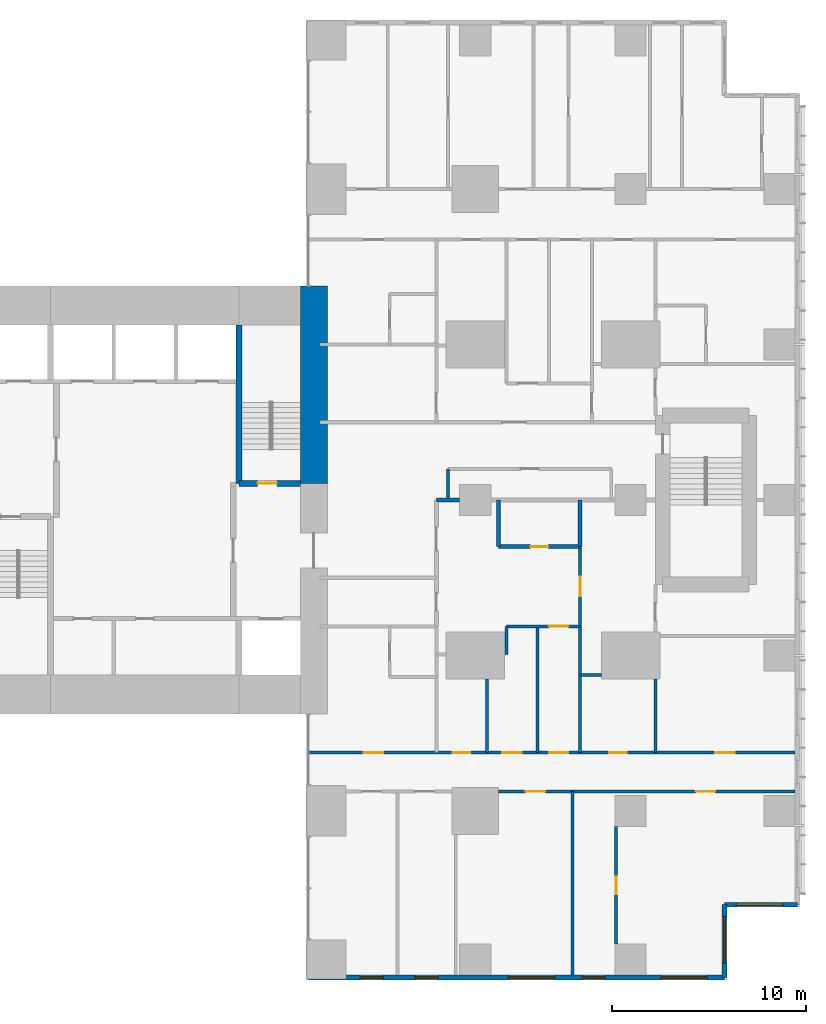
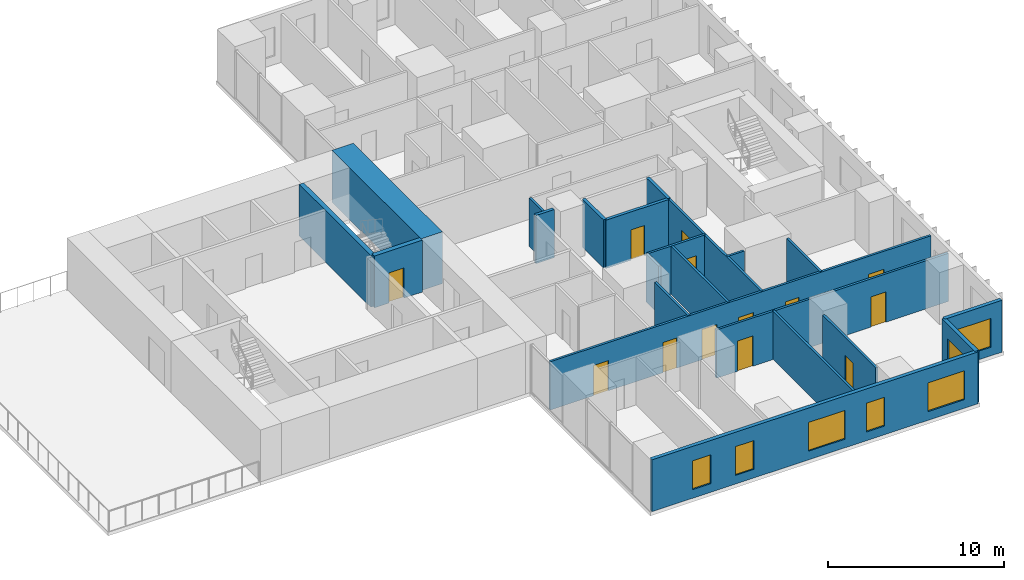
# One storey, part 10 of 14: 22 walls, 13 doors, 7 windows, 20 openings.
"""IFC4 building model written with IfcOpenShell, lengths in metres."""

from ifc_helpers import new_model, si_unit, direction, frame, frame_2d, origin, place, context, subcontext, project, spatial, rectangle, extrude, material, layer, layer_set, type_object, element, fill, save


model = new_model("IFC4")

# Units and contexts
model_context = context("Model", 3, precision=1e-05, world=origin(), true_north=direction((0.0, 1.0)))
body_context = subcontext(model_context, "Body", "Model", "MODEL_VIEW")
ifc_project = project(units=[si_unit("LENGTHUNIT", "METRE"), si_unit("AREAUNIT", "SQUARE_METRE"), si_unit("VOLUMEUNIT", "CUBIC_METRE"), si_unit("PLANEANGLEUNIT", "RADIAN"), si_unit("MASSUNIT", "GRAM", prefix="KILO")], contexts=[model_context])

# Site, building, storey
site_placement = place(None, origin())
site = spatial("IfcSite", under=ifc_project, at=site_placement, CompositionType="ELEMENT")
building_placement = place(site_placement, origin())
building = spatial("IfcBuilding", under=site, at=building_placement, Name="Cleftline Residences", CompositionType="ELEMENT")
storey_placement = place(building_placement, frame((0.0, 0.0, 230.39990234375)))
storey = spatial("IfcBuildingStorey", under=building, at=storey_placement, Name="L60", CompositionType="ELEMENT", Elevation=230.39990234375)

# Walls
ifc_material_1 = material(Name="Concrete B70", Category="concrete")
ifc_layer_1 = layer(ifc_material_1, 1.39990234375)
ifc_layer_set_1 = layer_set([ifc_layer_1], Name="CORE WALL 1400")
wall_type_1 = type_object("IfcWallType", Name="CORE WALL 1400", PredefinedType="SHEAR", material=ifc_layer_set_1)
wall_1_placement = place(storey_placement, frame((41.699951171875, 24.85009765625, 0.0), z_axis=(0.0, 0.0, 1.0), x_axis=(0.0, 1.0, 0.0)))
element("IfcWall", 1, at=wall_1_placement, inside=storey, type_object=wall_type_1, Name="Core wall E1", PredefinedType="SHEAR", context=body_context, shape_type="SweptSolid", body=[
    extrude(rectangle(XDim=10.14990234375, YDim=1.39990234375, at=frame_2d((5.074951171875, 0.0))), origin(), (0.0, 0.0, 1.0), 3.60009765625),
])
ifc_material_2 = material(Name="Concrete B70", Category="concrete")
ifc_layer_2 = layer(ifc_material_2, 0.300048828125)
ifc_layer_set_2 = layer_set([ifc_layer_2], Name="CORE WALL 300")
wall_type_2 = type_object("IfcWallType", Name="CORE WALL 300", PredefinedType="SHEAR", material=ifc_layer_set_2)
wall_2_placement = place(storey_placement, frame((37.85009765625, 24.85009765625, 0.0), z_axis=(0.0, 0.0, 1.0), x_axis=(0.0, 1.0, 0.0)))
element("IfcWall", 2, at=wall_2_placement, inside=storey, type_object=wall_type_2, Name="Core wall SB-W", PredefinedType="SHEAR", context=body_context, shape_type="SweptSolid", body=[
    extrude(rectangle(XDim=8.14990234375, YDim=0.300048828125, at=frame_2d((4.074951171875, 0.0))), origin(), (0.0, 0.0, 1.0), 3.60009765625),
])

# Wall, opening, door
wall_3_placement = place(storey_placement, frame((37.85009765625, 24.85009765625, 0.0), z_axis=(0.0, 0.0, 1.0), x_axis=(1.0, 0.0, 0.0)))
wall_3 = element("IfcWall", 3, at=wall_3_placement, inside=storey, type_object=wall_type_2, Name="Core wall SB-S", PredefinedType="SHEAR", context=body_context, shape_type="SweptSolid", body=[
    extrude(rectangle(XDim=3.14990234375, YDim=0.300048828125, at=frame_2d((1.574951171875, 0.0))), origin(), (0.0, 0.0, 1.0), 3.60009765625),
])
opening_1_placement = place(wall_3_placement, frame((0.949951171875, 0.0, 0.0)))
opening_1 = element("IfcOpeningElement", 4, at=opening_1_placement, cuts=wall_3, Name="Opening D5", PredefinedType="OPENING", context=body_context, shape_type="SweptSolid", body=[
    extrude(rectangle(XDim=1.0, YDim=2.10009765625, at=frame_2d((0.5, 1.050048828125))), frame((0.0, 0.159912109375, 0.0), z_axis=(0.0, -1.0, 0.0), x_axis=(1.0, 0.0, 0.0)), (0.0, 0.0, 1.0), 0.320068359375),
])
ifc_material_3 = material(Name="Steel", Category="steel")
door_type_1 = type_object("IfcDoorType", Name="STAIR DOOR 1000X2100", OperationType="SINGLE_SWING_LEFT", PredefinedType="DOOR", material=ifc_material_3)
door_1_placement = place(opening_1_placement, origin())
door_1 = element("IfcDoor", 5, at=door_1_placement, inside=storey, type_object=door_type_1, Name="Stair B door", OperationType="SINGLE_SWING_RIGHT", OverallHeight=2.10009765625, OverallWidth=1.0, PredefinedType="DOOR", context=body_context, shape_type="SweptSolid", body=[
    extrude(rectangle(XDim=1.0, YDim=2.10009765625, at=frame_2d((0.5, 1.050048828125))), frame((0.0, 0.02490234375, 0.0), z_axis=(0.0, -1.0, 0.0), x_axis=(1.0, 0.0, 0.0)), (0.0, 0.0, 1.0), 0.050048828125),
])
fill(opening_1, door_1)

# Wall, openings, windows
ifc_material_4 = material(Name="Rendered reinforced concrete blockwork", Category="masonry")
ifc_layer_3 = layer(ifc_material_4, 0.25)
ifc_layer_set_3 = layer_set([ifc_layer_3], Name="EXTERNAL WALL 250")
wall_type_3 = type_object("IfcWallType", Name="EXTERNAL WALL 250", PredefinedType="SOLIDWALL", material=ifc_layer_set_3)
wall_4_placement = place(storey_placement, frame((41.425048828125, -0.574951171875, 0.0), z_axis=(0.0, 0.0, 1.0), x_axis=(1.0, 0.0, 0.0)))
wall_4 = element("IfcWall", 6, at=wall_4_placement, inside=storey, type_object=wall_type_3, Name="External wall", PredefinedType="SOLIDWALL", context=body_context, shape_type="SweptSolid", body=[
    extrude(rectangle(XDim=21.39990234375, YDim=0.25, at=frame_2d((10.699951171875, 0.0))), origin(), (0.0, 0.0, 1.0), 3.60009765625),
])
opening_2_placement = place(wall_4_placement, frame((2.64990234375, 0.0, 0.60009765625)))
opening_2 = element("IfcOpeningElement", 7, at=opening_2_placement, cuts=wall_4, Name="Opening W8", PredefinedType="OPENING", context=body_context, shape_type="SweptSolid", body=[
    extrude(rectangle(XDim=1.199951171875, YDim=2.0, at=frame_2d((0.60009765625, 1.0))), frame((0.0, 0.135009765625, 0.0), z_axis=(0.0, -1.0, 0.0), x_axis=(1.0, 0.0, 0.0)), (0.0, 0.0, 1.0), 0.27001953125),
])
opening_3_placement = place(wall_4_placement, frame((5.47509765625, 0.0, 0.60009765625)))
opening_3 = element("IfcOpeningElement", 8, at=opening_3_placement, cuts=wall_4, Name="Opening W8", PredefinedType="OPENING", context=body_context, shape_type="SweptSolid", body=[
    extrude(rectangle(XDim=1.199951171875, YDim=2.0, at=frame_2d((0.60009765625, 1.0))), frame((0.0, 0.135009765625, 0.0), z_axis=(0.0, -1.0, 0.0), x_axis=(1.0, 0.0, 0.0)), (0.0, 0.0, 1.0), 0.27001953125),
])
opening_4_placement = place(wall_4_placement, frame((10.27490234375, 0.0, 0.60009765625)))
opening_4 = element("IfcOpeningElement", 9, at=opening_4_placement, cuts=wall_4, Name="Opening W6", PredefinedType="OPENING", context=body_context, shape_type="SweptSolid", body=[
    extrude(rectangle(XDim=2.39990234375, YDim=2.0, at=frame_2d((1.199951171875, 1.0))), frame((0.0, 0.135009765625, 0.0), z_axis=(0.0, -1.0, 0.0), x_axis=(1.0, 0.0, 0.0)), (0.0, 0.0, 1.0), 0.27001953125),
])
opening_5_placement = place(wall_4_placement, frame((14.074951171875, 0.0, 0.60009765625)))
opening_5 = element("IfcOpeningElement", 10, at=opening_5_placement, cuts=wall_4, Name="Opening W8", PredefinedType="OPENING", context=body_context, shape_type="SweptSolid", body=[
    extrude(rectangle(XDim=1.199951171875, YDim=2.0, at=frame_2d((0.60009765625, 1.0))), frame((0.0, 0.135009765625, 0.0), z_axis=(0.0, -1.0, 0.0), x_axis=(1.0, 0.0, 0.0)), (0.0, 0.0, 1.0), 0.27001953125),
])
opening_6_placement = place(wall_4_placement, frame((18.125, 0.0, 0.60009765625)))
opening_6 = element("IfcOpeningElement", 11, at=opening_6_placement, cuts=wall_4, Name="Opening W6", PredefinedType="OPENING", context=body_context, shape_type="SweptSolid", body=[
    extrude(rectangle(XDim=2.39990234375, YDim=2.0, at=frame_2d((1.199951171875, 1.0))), frame((0.0, 0.135009765625, 0.0), z_axis=(0.0, -1.0, 0.0), x_axis=(1.0, 0.0, 0.0)), (0.0, 0.0, 1.0), 0.27001953125),
])
ifc_material_5 = material(Name="Aluminium frame, clear double glazing", Category="aluminium")
window_type_1 = type_object("IfcWindowType", Name="WINDOW 1200X2000", PartitioningType="DOUBLE_PANEL_VERTICAL", PredefinedType="WINDOW", material=ifc_material_5)
window_1_placement = place(opening_2_placement, origin())
window_1 = element("IfcWindow", 12, at=window_1_placement, inside=storey, type_object=window_type_1, Name="Window", OverallHeight=2.0, OverallWidth=1.199951171875, PartitioningType="SINGLE_PANEL", PredefinedType="WINDOW", context=body_context, shape_type="SweptSolid", body=[
    extrude(rectangle(XDim=1.199951171875, YDim=2.0, at=frame_2d((0.60009765625, 1.0))), frame((0.0, 0.030029296875, 0.0), z_axis=(0.0, -1.0, 0.0), x_axis=(1.0, 0.0, 0.0)), (0.0, 0.0, 1.0), 0.06005859375),
])
fill(opening_2, window_1)
window_2_placement = place(opening_3_placement, origin())
window_2 = element("IfcWindow", 13, at=window_2_placement, inside=storey, type_object=window_type_1, Name="Window", OverallHeight=2.0, OverallWidth=1.199951171875, PartitioningType="SINGLE_PANEL", PredefinedType="WINDOW", context=body_context, shape_type="SweptSolid", body=[
    extrude(rectangle(XDim=1.199951171875, YDim=2.0, at=frame_2d((0.60009765625, 1.0))), frame((0.0, 0.030029296875, 0.0), z_axis=(0.0, -1.0, 0.0), x_axis=(1.0, 0.0, 0.0)), (0.0, 0.0, 1.0), 0.06005859375),
])
fill(opening_3, window_2)
window_3_placement = place(opening_5_placement, origin())
window_3 = element("IfcWindow", 14, at=window_3_placement, inside=storey, type_object=window_type_1, Name="Window", OverallHeight=2.0, OverallWidth=1.199951171875, PartitioningType="SINGLE_PANEL", PredefinedType="WINDOW", context=body_context, shape_type="SweptSolid", body=[
    extrude(rectangle(XDim=1.199951171875, YDim=2.0, at=frame_2d((0.60009765625, 1.0))), frame((0.0, 0.030029296875, 0.0), z_axis=(0.0, -1.0, 0.0), x_axis=(1.0, 0.0, 0.0)), (0.0, 0.0, 1.0), 0.06005859375),
])
fill(opening_5, window_3)
ifc_material_6 = material(Name="Aluminium frame, clear double glazing", Category="aluminium")
window_type_2 = type_object("IfcWindowType", Name="WINDOW 2400X2000", PartitioningType="DOUBLE_PANEL_VERTICAL", PredefinedType="WINDOW", material=ifc_material_6)
window_4_placement = place(opening_4_placement, origin())
window_4 = element("IfcWindow", 15, at=window_4_placement, inside=storey, type_object=window_type_2, Name="Window", OverallHeight=2.0, OverallWidth=2.39990234375, PartitioningType="SINGLE_PANEL", PredefinedType="WINDOW", context=body_context, shape_type="SweptSolid", body=[
    extrude(rectangle(XDim=2.39990234375, YDim=2.0, at=frame_2d((1.199951171875, 1.0))), frame((0.0, 0.030029296875, 0.0), z_axis=(0.0, -1.0, 0.0), x_axis=(1.0, 0.0, 0.0)), (0.0, 0.0, 1.0), 0.06005859375),
])
fill(opening_4, window_4)
window_5_placement = place(opening_6_placement, origin())
window_5 = element("IfcWindow", 16, at=window_5_placement, inside=storey, type_object=window_type_2, Name="Window", OverallHeight=2.0, OverallWidth=2.39990234375, PartitioningType="SINGLE_PANEL", PredefinedType="WINDOW", context=body_context, shape_type="SweptSolid", body=[
    extrude(rectangle(XDim=2.39990234375, YDim=2.0, at=frame_2d((1.199951171875, 1.0))), frame((0.0, 0.030029296875, 0.0), z_axis=(0.0, -1.0, 0.0), x_axis=(1.0, 0.0, 0.0)), (0.0, 0.0, 1.0), 0.06005859375),
])
fill(opening_6, window_5)

# Wall, opening, window
wall_5_placement = place(storey_placement, frame((62.824951171875, -0.574951171875, 0.0), z_axis=(0.0, 0.0, 1.0), x_axis=(0.0, 1.0, 0.0)))
wall_5 = element("IfcWall", 17, at=wall_5_placement, inside=storey, type_object=wall_type_3, Name="External wall", PredefinedType="SOLIDWALL", context=body_context, shape_type="SweptSolid", body=[
    extrude(rectangle(XDim=3.75, YDim=0.25, at=frame_2d((1.875, 0.0))), origin(), (0.0, 0.0, 1.0), 3.60009765625),
])
opening_7_placement = place(wall_5_placement, frame((0.737548828125, 0.0, 0.60009765625)))
opening_7 = element("IfcOpeningElement", 18, at=opening_7_placement, cuts=wall_5, Name="Opening W6", PredefinedType="OPENING", context=body_context, shape_type="SweptSolid", body=[
    extrude(rectangle(XDim=2.39990234375, YDim=2.0, at=frame_2d((1.199951171875, 1.0))), frame((0.0, 0.135009765625, 0.0), z_axis=(0.0, -1.0, 0.0), x_axis=(1.0, 0.0, 0.0)), (0.0, 0.0, 1.0), 0.27001953125),
])
window_6_placement = place(opening_7_placement, origin())
window_6 = element("IfcWindow", 19, at=window_6_placement, inside=storey, type_object=window_type_2, Name="Window", OverallHeight=2.0, OverallWidth=2.39990234375, PartitioningType="SINGLE_PANEL", PredefinedType="WINDOW", context=body_context, shape_type="SweptSolid", body=[
    extrude(rectangle(XDim=2.39990234375, YDim=2.0, at=frame_2d((1.199951171875, 1.0))), frame((0.0, 0.030029296875, 0.0), z_axis=(0.0, -1.0, 0.0), x_axis=(1.0, 0.0, 0.0)), (0.0, 0.0, 1.0), 0.06005859375),
])
fill(opening_7, window_6)

wall_6_placement = place(storey_placement, frame((62.824951171875, 3.175048828125, 0.0), z_axis=(0.0, 0.0, 1.0), x_axis=(1.0, 0.0, 0.0)))
wall_6 = element("IfcWall", 20, at=wall_6_placement, inside=storey, type_object=wall_type_3, Name="External wall", PredefinedType="SOLIDWALL", context=body_context, shape_type="SweptSolid", body=[
    extrude(rectangle(XDim=3.75, YDim=0.25, at=frame_2d((1.875, 0.0))), origin(), (0.0, 0.0, 1.0), 3.60009765625),
])
opening_8_placement = place(wall_6_placement, frame((0.612548828125, 0.0, 0.60009765625)))
opening_8 = element("IfcOpeningElement", 21, at=opening_8_placement, cuts=wall_6, Name="Opening W6", PredefinedType="OPENING", context=body_context, shape_type="SweptSolid", body=[
    extrude(rectangle(XDim=2.39990234375, YDim=2.0, at=frame_2d((1.199951171875, 1.0))), frame((0.0, 0.135009765625, 0.0), z_axis=(0.0, -1.0, 0.0), x_axis=(1.0, 0.0, 0.0)), (0.0, 0.0, 1.0), 0.27001953125),
])
window_7_placement = place(opening_8_placement, origin())
window_7 = element("IfcWindow", 22, at=window_7_placement, inside=storey, type_object=window_type_2, Name="Window", OverallHeight=2.0, OverallWidth=2.39990234375, PartitioningType="SINGLE_PANEL", PredefinedType="WINDOW", context=body_context, shape_type="SweptSolid", body=[
    extrude(rectangle(XDim=2.39990234375, YDim=2.0, at=frame_2d((1.199951171875, 1.0))), frame((0.0, 0.030029296875, 0.0), z_axis=(0.0, -1.0, 0.0), x_axis=(1.0, 0.0, 0.0)), (0.0, 0.0, 1.0), 0.06005859375),
])
fill(opening_8, window_7)

# Wall, opening, door
ifc_material_7 = material(Name="Concrete blockwork, fire rated", Category="masonry")
ifc_layer_4 = layer(ifc_material_7, 0.199951171875)
ifc_layer_set_4 = layer_set([ifc_layer_4], Name="FIRE WALL 200")
wall_type_4 = type_object("IfcWallType", Name="FIRE WALL 200", PredefinedType="PARTITIONING", material=ifc_layer_set_4)
wall_7_placement = place(storey_placement, frame((51.199951171875, 21.60009765625, 0.0), z_axis=(0.0, 0.0, 1.0), x_axis=(1.0, 0.0, 0.0)))
wall_7 = element("IfcWall", 23, at=wall_7_placement, inside=storey, type_object=wall_type_4, Name="Fire separating wall", PredefinedType="PARTITIONING", context=body_context, shape_type="SweptSolid", body=[
    extrude(rectangle(XDim=4.199951171875, YDim=0.199951171875, at=frame_2d((2.10009765625, 0.0))), origin(), (0.0, 0.0, 1.0), 3.35009765625),
])
opening_9_placement = place(wall_7_placement, frame((1.64990234375, 0.0, 0.0)))
opening_9 = element("IfcOpeningElement", 24, at=opening_9_placement, cuts=wall_7, Name="Opening D1F30", PredefinedType="OPENING", context=body_context, shape_type="SweptSolid", body=[
    extrude(rectangle(XDim=0.89990234375, YDim=2.10009765625, at=frame_2d((0.449951171875, 1.050048828125))), frame((0.0, 0.10986328125, 0.0), z_axis=(0.0, -1.0, 0.0), x_axis=(1.0, 0.0, 0.0)), (0.0, 0.0, 1.0), 0.219970703125),
])
ifc_material_8 = material(Name="Timber veneer on solid core", Category="wood")
door_type_2 = type_object("IfcDoorType", Name="DOOR 900X2100 EI 30", OperationType="SINGLE_SWING_LEFT", PredefinedType="DOOR", material=ifc_material_8)
door_2_placement = place(opening_9_placement, origin())
door_2 = element("IfcDoor", 25, at=door_2_placement, inside=storey, type_object=door_type_2, Name="Door to cloakroom wc", OperationType="SINGLE_SWING_LEFT", OverallHeight=2.10009765625, OverallWidth=0.89990234375, PredefinedType="DOOR", context=body_context, shape_type="SweptSolid", body=[
    extrude(rectangle(XDim=0.89990234375, YDim=2.10009765625, at=frame_2d((0.449951171875, 1.050048828125))), frame((0.0, 0.02490234375, 0.0), z_axis=(0.0, -1.0, 0.0), x_axis=(1.0, 0.0, 0.0)), (0.0, 0.0, 1.0), 0.050048828125),
])
fill(opening_9, door_2)

# Walls
wall_8_placement = place(storey_placement, frame((48.0, 24.0, 0.0), z_axis=(0.0, 0.0, 1.0), x_axis=(1.0, 0.0, 0.0)))
element("IfcWall", 26, at=wall_8_placement, inside=storey, type_object=wall_type_4, Name="Fire separating wall", PredefinedType="PARTITIONING", context=body_context, shape_type="SweptSolid", body=[
    extrude(rectangle(XDim=1.199951171875, YDim=0.199951171875, at=frame_2d((0.60009765625, 0.0))), origin(), (0.0, 0.0, 1.0), 3.35009765625),
])
for number, where, z_axis, x_axis, name in (
    (27, (51.199951171875, 21.60009765625, 0.0), (0.0, 0.0, 1.0), (0.0, 1.0, 0.0), "Fire separating wall"),
    (28, (55.39990234375, 21.60009765625, 0.0), (0.0, 0.0, 1.0), (0.0, 1.0, 0.0), "Fire separating wall"),
):
    element("IfcWall", number, at=place(storey_placement, frame(where, z_axis=z_axis, x_axis=x_axis)), inside=storey, type_object=wall_type_4, Name=name, PredefinedType="PARTITIONING", context=body_context, shape_type="SweptSolid", body=[
        extrude(rectangle(XDim=2.39990234375, YDim=0.199951171875, at=frame_2d((1.199951171875, 0.0))), origin(), (0.0, 0.0, 1.0), 3.35009765625),
    ])

# Wall, openings, doors
ifc_material_9 = material(Name="Gypsum board on steel studs", Category="steel")
ifc_layer_5 = layer(ifc_material_9, 0.14990234375)
ifc_layer_set_5 = layer_set([ifc_layer_5], Name="PARTITION 150")
wall_type_5 = type_object("IfcWallType", Name="PARTITION 150", PredefinedType="PARTITIONING", material=ifc_layer_set_5)
wall_9_placement = place(storey_placement, frame((51.199951171875, 9.0, 0.0), z_axis=(0.0, 0.0, 1.0), x_axis=(1.0, 0.0, 0.0)))
wall_9 = element("IfcWall", 29, at=wall_9_placement, inside=storey, type_object=wall_type_5, Name="Partition", PredefinedType="PARTITIONING", context=body_context, shape_type="SweptSolid", body=[
    extrude(rectangle(XDim=15.25, YDim=0.14990234375, at=frame_2d((7.625, 0.0))), origin(), (0.0, 0.0, 1.0), 3.35009765625),
])
opening_10_placement = place(wall_9_placement, frame((10.14990234375, 0.0, 0.0)))
opening_10 = element("IfcOpeningElement", 30, at=opening_10_placement, cuts=wall_9, Name="Opening D2", PredefinedType="OPENING", context=body_context, shape_type="SweptSolid", body=[
    extrude(rectangle(XDim=1.0, YDim=2.10009765625, at=frame_2d((0.5, 1.050048828125))), frame((0.0, 0.0849609375, 0.0), z_axis=(0.0, -1.0, 0.0), x_axis=(1.0, 0.0, 0.0)), (0.0, 0.0, 1.0), 0.169921875),
])
opening_11_placement = place(wall_9_placement, frame((1.39990234375, 0.0, 0.0)))
opening_11 = element("IfcOpeningElement", 31, at=opening_11_placement, cuts=wall_9, Name="Opening D2", PredefinedType="OPENING", context=body_context, shape_type="SweptSolid", body=[
    extrude(rectangle(XDim=1.0, YDim=2.10009765625, at=frame_2d((0.5, 1.050048828125))), frame((0.0, 0.0849609375, 0.0), z_axis=(0.0, -1.0, 0.0), x_axis=(1.0, 0.0, 0.0)), (0.0, 0.0, 1.0), 0.169921875),
])
ifc_material_10 = material(Name="Timber veneer on solid core", Category="wood")
door_type_3 = type_object("IfcDoorType", Name="DOOR 1000X2100", OperationType="SINGLE_SWING_LEFT", PredefinedType="DOOR", material=ifc_material_10)
door_3_placement = place(opening_10_placement, origin())
door_3 = element("IfcDoor", 32, at=door_3_placement, inside=storey, type_object=door_type_3, Name="Door to sea-view living room", OperationType="SINGLE_SWING_LEFT", OverallHeight=2.10009765625, OverallWidth=1.0, PredefinedType="DOOR", context=body_context, shape_type="SweptSolid", body=[
    extrude(rectangle(XDim=1.0, YDim=2.10009765625, at=frame_2d((0.5, 1.050048828125))), frame((0.0, 0.02490234375, 0.0), z_axis=(0.0, -1.0, 0.0), x_axis=(1.0, 0.0, 0.0)), (0.0, 0.0, 1.0), 0.050048828125),
])
fill(opening_10, door_3)
door_4_placement = place(opening_11_placement, origin())
door_4 = element("IfcDoor", 33, at=door_4_placement, inside=storey, type_object=door_type_3, Name="Door to dining room", OperationType="SINGLE_SWING_RIGHT", OverallHeight=2.10009765625, OverallWidth=1.0, PredefinedType="DOOR", context=body_context, shape_type="SweptSolid", body=[
    extrude(rectangle(XDim=1.0, YDim=2.10009765625, at=frame_2d((0.5, 1.050048828125))), frame((0.0, 0.02490234375, 0.0), z_axis=(0.0, -1.0, 0.0), x_axis=(1.0, 0.0, 0.0)), (0.0, 0.0, 1.0), 0.050048828125),
])
fill(opening_11, door_4)

wall_10_placement = place(storey_placement, frame((41.43896484375, 11.0, 0.0), z_axis=(0.0, 0.0, 1.0), x_axis=(1.0, 0.0, 0.0)))
wall_10 = element("IfcWall", 34, at=wall_10_placement, inside=storey, type_object=wall_type_5, Name="Partition", PredefinedType="PARTITIONING", context=body_context, shape_type="SweptSolid", body=[
    extrude(rectangle(XDim=25.010986328125, YDim=0.14990234375, at=frame_2d((12.50537109375, 0.0))), origin(), (0.0, 0.0, 1.0), 3.35009765625),
])
opening_12_placement = place(wall_10_placement, frame((12.361083984375, 0.0, 0.0)))
opening_12 = element("IfcOpeningElement", 35, at=opening_12_placement, cuts=wall_10, Name="Opening D2F30", PredefinedType="OPENING", context=body_context, shape_type="SweptSolid", body=[
    extrude(rectangle(XDim=1.0, YDim=2.10009765625, at=frame_2d((0.5, 1.050048828125))), frame((0.0, 0.0849609375, 0.0), z_axis=(0.0, -1.0, 0.0), x_axis=(1.0, 0.0, 0.0)), (0.0, 0.0, 1.0), 0.169921875),
])
opening_13_placement = place(wall_10_placement, frame((20.923583984375, 0.0, 0.0)))
opening_13 = element("IfcOpeningElement", 36, at=opening_13_placement, cuts=wall_10, Name="Opening D2F30", PredefinedType="OPENING", context=body_context, shape_type="SweptSolid", body=[
    extrude(rectangle(XDim=1.0, YDim=2.10009765625, at=frame_2d((0.5, 1.050048828125))), frame((0.0, 0.0849609375, 0.0), z_axis=(0.0, -1.0, 0.0), x_axis=(1.0, 0.0, 0.0)), (0.0, 0.0, 1.0), 0.169921875),
])
opening_14_placement = place(wall_10_placement, frame((15.448486328125, 0.0, 0.0)))
opening_14 = element("IfcOpeningElement", 37, at=opening_14_placement, cuts=wall_10, Name="Opening D1F30", PredefinedType="OPENING", context=body_context, shape_type="SweptSolid", body=[
    extrude(rectangle(XDim=0.89990234375, YDim=2.10009765625, at=frame_2d((0.449951171875, 1.050048828125))), frame((0.0, 0.0849609375, 0.0), z_axis=(0.0, -1.0, 0.0), x_axis=(1.0, 0.0, 0.0)), (0.0, 0.0, 1.0), 0.169921875),
])
opening_15_placement = place(wall_10_placement, frame((9.9609375, 0.0, 0.0)))
opening_15 = element("IfcOpeningElement", 38, at=opening_15_placement, cuts=wall_10, Name="Opening D2F30", PredefinedType="OPENING", context=body_context, shape_type="SweptSolid", body=[
    extrude(rectangle(XDim=1.0, YDim=2.10009765625, at=frame_2d((0.5, 1.050048828125))), frame((0.0, 0.0849609375, 0.0), z_axis=(0.0, -1.0, 0.0), x_axis=(1.0, 0.0, 0.0)), (0.0, 0.0, 1.0), 0.169921875),
])
opening_16_placement = place(wall_10_placement, frame((7.410888671875, 0.0, 0.0)))
opening_16 = element("IfcOpeningElement", 39, at=opening_16_placement, cuts=wall_10, Name="Opening D1F30", PredefinedType="OPENING", context=body_context, shape_type="SweptSolid", body=[
    extrude(rectangle(XDim=0.89990234375, YDim=2.10009765625, at=frame_2d((0.449951171875, 1.050048828125))), frame((0.0, 0.0849609375, 0.0), z_axis=(0.0, -1.0, 0.0), x_axis=(1.0, 0.0, 0.0)), (0.0, 0.0, 1.0), 0.169921875),
])
opening_17_placement = place(wall_10_placement, frame((2.8359375, 0.0, 0.0)))
opening_17 = element("IfcOpeningElement", 40, at=opening_17_placement, cuts=wall_10, Name="Opening D2F30", PredefinedType="OPENING", context=body_context, shape_type="SweptSolid", body=[
    extrude(rectangle(XDim=1.0, YDim=2.10009765625, at=frame_2d((0.5, 1.050048828125))), frame((0.0, 0.0849609375, 0.0), z_axis=(0.0, -1.0, 0.0), x_axis=(1.0, 0.0, 0.0)), (0.0, 0.0, 1.0), 0.169921875),
])
ifc_material_11 = material(Name="Timber veneer on solid core", Category="wood")
door_type_4 = type_object("IfcDoorType", Name="DOOR 1000X2100 EI 30", OperationType="SINGLE_SWING_LEFT", PredefinedType="DOOR", material=ifc_material_11)
door_5_placement = place(opening_12_placement, origin())
door_5 = element("IfcDoor", 41, at=door_5_placement, inside=storey, type_object=door_type_4, Name="Door to residence hall (gallery)", OperationType="SINGLE_SWING_LEFT", OverallHeight=2.10009765625, OverallWidth=1.0, PredefinedType="DOOR", context=body_context, shape_type="SweptSolid", body=[
    extrude(rectangle(XDim=1.0, YDim=2.10009765625, at=frame_2d((0.5, 1.050048828125))), frame((0.0, 0.02490234375, 0.0), z_axis=(0.0, -1.0, 0.0), x_axis=(1.0, 0.0, 0.0)), (0.0, 0.0, 1.0), 0.050048828125),
])
fill(opening_12, door_5)
door_6_placement = place(opening_13_placement, origin())
door_6 = element("IfcDoor", 42, at=door_6_placement, inside=storey, type_object=door_type_4, Name="Door to altar room", OperationType="SINGLE_SWING_LEFT", OverallHeight=2.10009765625, OverallWidth=1.0, PredefinedType="DOOR", context=body_context, shape_type="SweptSolid", body=[
    extrude(rectangle(XDim=1.0, YDim=2.10009765625, at=frame_2d((0.5, 1.050048828125))), frame((0.0, 0.02490234375, 0.0), z_axis=(0.0, -1.0, 0.0), x_axis=(1.0, 0.0, 0.0)), (0.0, 0.0, 1.0), 0.050048828125),
])
fill(opening_13, door_6)
door_7_placement = place(opening_15_placement, origin())
door_7 = element("IfcDoor", 43, at=door_7_placement, inside=storey, type_object=door_type_4, Name="Door to wet kitchen", OperationType="SINGLE_SWING_RIGHT", OverallHeight=2.10009765625, OverallWidth=1.0, PredefinedType="DOOR", context=body_context, shape_type="SweptSolid", body=[
    extrude(rectangle(XDim=1.0, YDim=2.10009765625, at=frame_2d((0.5, 1.050048828125))), frame((0.0, 0.02490234375, 0.0), z_axis=(0.0, -1.0, 0.0), x_axis=(1.0, 0.0, 0.0)), (0.0, 0.0, 1.0), 0.050048828125),
])
fill(opening_15, door_7)
door_8_placement = place(opening_17_placement, origin())
door_8 = element("IfcDoor", 44, at=door_8_placement, inside=storey, type_object=door_type_4, Name="Door to staff bedroom", OperationType="SINGLE_SWING_RIGHT", OverallHeight=2.10009765625, OverallWidth=1.0, PredefinedType="DOOR", context=body_context, shape_type="SweptSolid", body=[
    extrude(rectangle(XDim=1.0, YDim=2.10009765625, at=frame_2d((0.5, 1.050048828125))), frame((0.0, 0.02490234375, 0.0), z_axis=(0.0, -1.0, 0.0), x_axis=(1.0, 0.0, 0.0)), (0.0, 0.0, 1.0), 0.050048828125),
])
fill(opening_17, door_8)
door_9_placement = place(opening_14_placement, origin())
door_9 = element("IfcDoor", 45, at=door_9_placement, inside=storey, type_object=door_type_2, Name="Door to store room", OperationType="SINGLE_SWING_LEFT", OverallHeight=2.10009765625, OverallWidth=0.89990234375, PredefinedType="DOOR", context=body_context, shape_type="SweptSolid", body=[
    extrude(rectangle(XDim=0.89990234375, YDim=2.10009765625, at=frame_2d((0.449951171875, 1.050048828125))), frame((0.0, 0.02490234375, 0.0), z_axis=(0.0, -1.0, 0.0), x_axis=(1.0, 0.0, 0.0)), (0.0, 0.0, 1.0), 0.050048828125),
])
fill(opening_14, door_9)
door_10_placement = place(opening_16_placement, origin())
door_10 = element("IfcDoor", 46, at=door_10_placement, inside=storey, type_object=door_type_2, Name="Door to pantry", OperationType="SINGLE_SWING_RIGHT", OverallHeight=2.10009765625, OverallWidth=0.89990234375, PredefinedType="DOOR", context=body_context, shape_type="SweptSolid", body=[
    extrude(rectangle(XDim=0.89990234375, YDim=2.10009765625, at=frame_2d((0.449951171875, 1.050048828125))), frame((0.0, 0.02490234375, 0.0), z_axis=(0.0, -1.0, 0.0), x_axis=(1.0, 0.0, 0.0)), (0.0, 0.0, 1.0), 0.050048828125),
])
fill(opening_16, door_10)

# Wall
wall_11_placement = place(storey_placement, frame((55.39990234375, 15.0, 0.0), z_axis=(0.0, 0.0, 1.0), x_axis=(1.0, 0.0, 0.0)))
element("IfcWall", 47, at=wall_11_placement, inside=storey, type_object=wall_type_5, Name="Partition", PredefinedType="PARTITIONING", context=body_context, shape_type="SweptSolid", body=[
    extrude(rectangle(XDim=1.10009765625, YDim=0.14990234375, at=frame_2d((0.550048828125, 0.0))), origin(), (0.0, 0.0, 1.0), 3.35009765625),
])

# Wall, opening, door
wall_12_placement = place(storey_placement, frame((51.60009765625, 17.5, 0.0), z_axis=(0.0, 0.0, 1.0), x_axis=(1.0, 0.0, 0.0)))
wall_12 = element("IfcWall", 48, at=wall_12_placement, inside=storey, type_object=wall_type_5, Name="Partition", PredefinedType="PARTITIONING", context=body_context, shape_type="SweptSolid", body=[
    extrude(rectangle(XDim=3.7998046875, YDim=0.14990234375, at=frame_2d((1.89990234375, 0.0))), origin(), (0.0, 0.0, 1.0), 3.35009765625),
])
opening_18_placement = place(wall_12_placement, frame((2.199951171875, 0.0, 0.0)))
opening_18 = element("IfcOpeningElement", 49, at=opening_18_placement, cuts=wall_12, Name="Opening D2", PredefinedType="OPENING", context=body_context, shape_type="SweptSolid", body=[
    extrude(rectangle(XDim=1.0, YDim=2.10009765625, at=frame_2d((0.5, 1.050048828125))), frame((0.0, 0.0849609375, 0.0), z_axis=(0.0, -1.0, 0.0), x_axis=(1.0, 0.0, 0.0)), (0.0, 0.0, 1.0), 0.169921875),
])
door_11_placement = place(opening_18_placement, origin())
door_11 = element("IfcDoor", 50, at=door_11_placement, inside=storey, type_object=door_type_3, Name="Door to residence passage", OperationType="SINGLE_SWING_LEFT", OverallHeight=2.10009765625, OverallWidth=1.0, PredefinedType="DOOR", context=body_context, shape_type="SweptSolid", body=[
    extrude(rectangle(XDim=1.0, YDim=2.10009765625, at=frame_2d((0.5, 1.050048828125))), frame((0.0, 0.02490234375, 0.0), z_axis=(0.0, -1.0, 0.0), x_axis=(1.0, 0.0, 0.0)), (0.0, 0.0, 1.0), 0.050048828125),
])
fill(opening_18, door_11)

# Walls
wall_13_placement = place(storey_placement, frame((48.60009765625, 24.0, 0.0), z_axis=(0.0, 0.0, 1.0), x_axis=(0.0, 1.0, 0.0)))
element("IfcWall", 51, at=wall_13_placement, inside=storey, type_object=wall_type_5, Name="Partition", PredefinedType="PARTITIONING", context=body_context, shape_type="SweptSolid", body=[
    extrude(rectangle(XDim=1.60009765625, YDim=0.14990234375, at=frame_2d((0.800048828125, 0.0))), origin(), (0.0, 0.0, 1.0), 3.35009765625),
])
wall_14_placement = place(storey_placement, frame((50.60009765625, 11.0, 0.0), z_axis=(0.0, 0.0, 1.0), x_axis=(0.0, 1.0, 0.0)))
element("IfcWall", 52, at=wall_14_placement, inside=storey, type_object=wall_type_5, Name="Partition", PredefinedType="PARTITIONING", context=body_context, shape_type="SweptSolid", body=[
    extrude(rectangle(XDim=3.800048828125, YDim=0.14990234375, at=frame_2d((1.89990234375, 0.0))), origin(), (0.0, 0.0, 1.0), 3.35009765625),
])
wall_15_placement = place(storey_placement, frame((51.60009765625, 16.050048828125, 0.0), z_axis=(0.0, 0.0, 1.0), x_axis=(0.0, 1.0, 0.0)))
element("IfcWall", 53, at=wall_15_placement, inside=storey, type_object=wall_type_5, Name="Partition", PredefinedType="PARTITIONING", context=body_context, shape_type="SweptSolid", body=[
    extrude(rectangle(XDim=1.449951171875, YDim=0.14990234375, at=frame_2d((0.72509765625, 0.0))), origin(), (0.0, 0.0, 1.0), 3.35009765625),
])
wall_16_placement = place(storey_placement, frame((53.199951171875, 11.0, 0.0), z_axis=(0.0, 0.0, 1.0), x_axis=(0.0, 1.0, 0.0)))
element("IfcWall", 54, at=wall_16_placement, inside=storey, type_object=wall_type_5, Name="Partition", PredefinedType="PARTITIONING", context=body_context, shape_type="SweptSolid", body=[
    extrude(rectangle(XDim=6.5, YDim=0.14990234375, at=frame_2d((3.25, 0.0))), origin(), (0.0, 0.0, 1.0), 3.35009765625),
])
wall_17_placement = place(storey_placement, frame((55.0, -0.449951171875, 0.0), z_axis=(0.0, 0.0, 1.0), x_axis=(0.0, 1.0, 0.0)))
element("IfcWall", 55, at=wall_17_placement, inside=storey, type_object=wall_type_5, Name="Partition", PredefinedType="PARTITIONING", context=body_context, shape_type="SweptSolid", body=[
    extrude(rectangle(XDim=9.449951171875, YDim=0.14990234375, at=frame_2d((4.72509765625, 0.0))), origin(), (0.0, 0.0, 1.0), 3.35009765625),
])

# Wall, opening, door
wall_18_placement = place(storey_placement, frame((55.39990234375, 11.0, 0.0), z_axis=(0.0, 0.0, 1.0), x_axis=(0.0, 1.0, 0.0)))
wall_18 = element("IfcWall", 56, at=wall_18_placement, inside=storey, type_object=wall_type_5, Name="Partition", PredefinedType="PARTITIONING", context=body_context, shape_type="SweptSolid", body=[
    extrude(rectangle(XDim=10.60009765625, YDim=0.14990234375, at=frame_2d((5.300048828125, 0.0))), origin(), (0.0, 0.0, 1.0), 3.35009765625),
])
opening_19_placement = place(wall_18_placement, frame((8.050048828125, 0.0, 0.0)))
opening_19 = element("IfcOpeningElement", 57, at=opening_19_placement, cuts=wall_18, Name="Opening D2F30", PredefinedType="OPENING", context=body_context, shape_type="SweptSolid", body=[
    extrude(rectangle(XDim=1.0, YDim=2.10009765625, at=frame_2d((0.5, 1.050048828125))), frame((0.0, 0.0849609375, 0.0), z_axis=(0.0, -1.0, 0.0), x_axis=(1.0, 0.0, 0.0)), (0.0, 0.0, 1.0), 0.169921875),
])
door_12_placement = place(opening_19_placement, origin())
door_12 = element("IfcDoor", 58, at=door_12_placement, inside=storey, type_object=door_type_4, Name="Door to residence lobby", OperationType="SINGLE_SWING_LEFT", OverallHeight=2.10009765625, OverallWidth=1.0, PredefinedType="DOOR", context=body_context, shape_type="SweptSolid", body=[
    extrude(rectangle(XDim=1.0, YDim=2.10009765625, at=frame_2d((0.5, 1.050048828125))), frame((0.0, 0.02490234375, 0.0), z_axis=(0.0, -1.0, 0.0), x_axis=(1.0, 0.0, 0.0)), (0.0, 0.0, 1.0), 0.050048828125),
])
fill(opening_19, door_12)

wall_19_placement = place(storey_placement, frame((57.25, 1.14990234375, 0.0), z_axis=(0.0, 0.0, 1.0), x_axis=(0.0, 1.0, 0.0)))
wall_19 = element("IfcWall", 59, at=wall_19_placement, inside=storey, type_object=wall_type_5, Name="Partition", PredefinedType="PARTITIONING", context=body_context, shape_type="SweptSolid", body=[
    extrude(rectangle(XDim=6.050048828125, YDim=0.14990234375, at=frame_2d((3.02490234375, 0.0))), origin(), (0.0, 0.0, 1.0), 3.35009765625),
])
opening_20_placement = place(wall_19_placement, frame((2.574951171875, 0.0, 0.0)))
opening_20 = element("IfcOpeningElement", 60, at=opening_20_placement, cuts=wall_19, Name="Opening D1", PredefinedType="OPENING", context=body_context, shape_type="SweptSolid", body=[
    extrude(rectangle(XDim=0.89990234375, YDim=2.10009765625, at=frame_2d((0.449951171875, 1.050048828125))), frame((0.0, 0.0849609375, 0.0), z_axis=(0.0, -1.0, 0.0), x_axis=(1.0, 0.0, 0.0)), (0.0, 0.0, 1.0), 0.169921875),
])
ifc_material_12 = material(Name="Timber veneer on solid core", Category="wood")
door_type_5 = type_object("IfcDoorType", Name="DOOR 900X2100", OperationType="SINGLE_SWING_LEFT", PredefinedType="DOOR", material=ifc_material_12)
door_13_placement = place(opening_20_placement, origin())
door_13 = element("IfcDoor", 61, at=door_13_placement, inside=storey, type_object=door_type_5, Name="Door to store room", OperationType="SINGLE_SWING_LEFT", OverallHeight=2.10009765625, OverallWidth=0.89990234375, PredefinedType="DOOR", context=body_context, shape_type="SweptSolid", body=[
    extrude(rectangle(XDim=0.89990234375, YDim=2.10009765625, at=frame_2d((0.449951171875, 1.050048828125))), frame((0.0, 0.02490234375, 0.0), z_axis=(0.0, -1.0, 0.0), x_axis=(1.0, 0.0, 0.0)), (0.0, 0.0, 1.0), 0.050048828125),
])
fill(opening_20, door_13)

# Wall
wall_20_placement = place(storey_placement, frame((59.27490234375, 11.0, 0.0), z_axis=(0.0, 0.0, 1.0), x_axis=(0.0, 1.0, 0.0)))
element("IfcWall", 62, at=wall_20_placement, inside=storey, type_object=wall_type_5, Name="Partition", PredefinedType="PARTITIONING", context=body_context, shape_type="SweptSolid", body=[
    extrude(rectangle(XDim=3.800048828125, YDim=0.14990234375, at=frame_2d((1.89990234375, 0.0))), origin(), (0.0, 0.0, 1.0), 3.35009765625),
])

save(model, "model.ifc")
